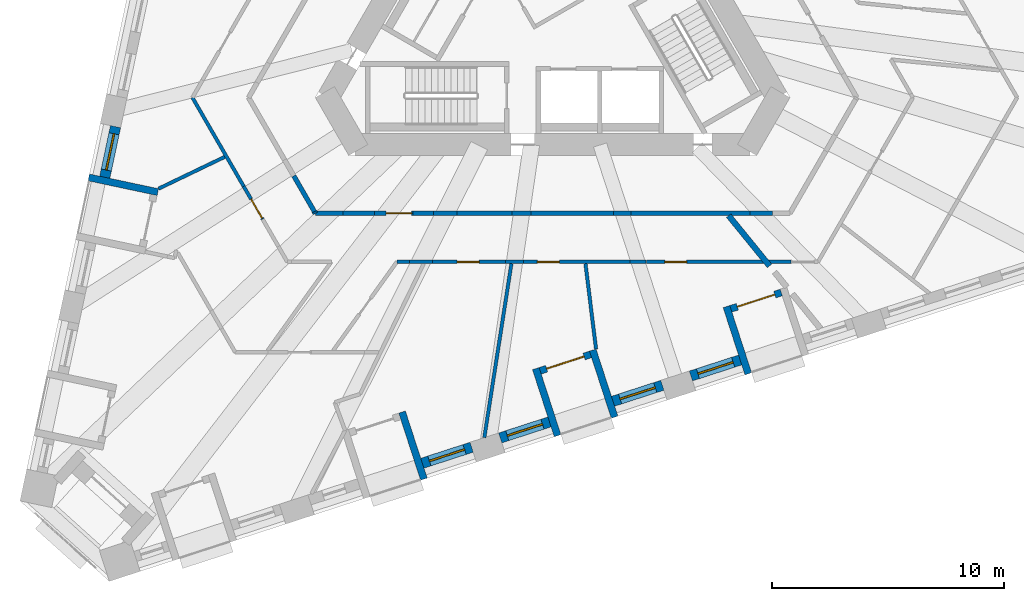
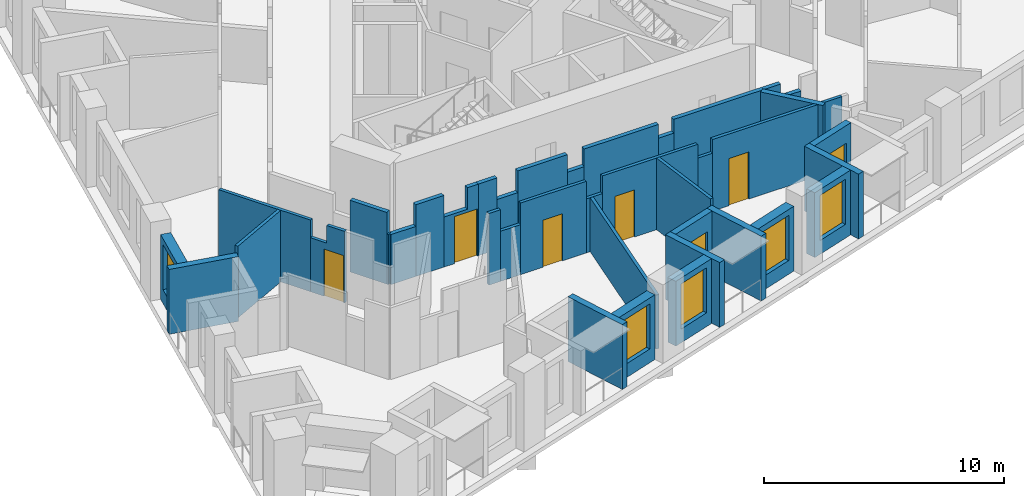
# One storey, part 3 of 13: 38 walls, 7 doors, 5 windows, 12 openings.
"""IFC4 building model written with IfcOpenShell, lengths in metres."""

from ifc_helpers import new_model, si_unit, direction, frame, frame_2d, origin, place, context, subcontext, project, spatial, polyline, rectangle, outline, extrude, material, layer, layer_set, type_object, element, fill, save


model = new_model("IFC4")

# Units and contexts
model_context = context("Model", 3, precision=1e-05, world=origin(), true_north=direction((0.0, 1.0)))
body_context = subcontext(model_context, "Body", "Model", "MODEL_VIEW")
ifc_project = project(units=[si_unit("LENGTHUNIT", "METRE"), si_unit("AREAUNIT", "SQUARE_METRE"), si_unit("VOLUMEUNIT", "CUBIC_METRE"), si_unit("PLANEANGLEUNIT", "RADIAN"), si_unit("MASSUNIT", "GRAM", prefix="KILO")], contexts=[model_context])

# Site, building, storey
site_placement = place(None, origin())
site = spatial("IfcSite", under=ifc_project, at=site_placement, CompositionType="ELEMENT")
building_placement = place(site_placement, origin())
building = spatial("IfcBuilding", under=site, at=building_placement, Name="Tramontana Tower", CompositionType="ELEMENT")
storey_placement = place(building_placement, frame((0.0, 0.0, 112.39990234375)))
storey = spatial("IfcBuildingStorey", under=building, at=storey_placement, Name="L25", CompositionType="ELEMENT", Elevation=112.39990234375)

# Walls
ifc_material_1 = material(Name="Blockwork", Category="masonry")
ifc_layer_1 = layer(ifc_material_1, 0.199951171875)
ifc_layer_set_1 = layer_set([ifc_layer_1], Name="ENTRY WALL 200")
wall_type_1 = type_object("IfcWallType", Name="ENTRY WALL 200", PredefinedType="SOLIDWALL", material=ifc_layer_set_1)
wall_1_placement = place(storey_placement, frame((9.50439453125, -9.25, 0.0), z_axis=(0.0, 0.0, 1.0), x_axis=(-1.0, 0.0, 0.0)))
element("IfcWall", 1, at=wall_1_placement, inside=storey, type_object=wall_type_1, Name="Wall v22-ew2-1", PredefinedType="SOLIDWALL", context=body_context, shape_type="SweptSolid", body=[
    extrude(rectangle(XDim=0.9775390625, YDim=0.199951171875, at=frame_2d((0.48876953125, 0.0))), origin(), (0.0, 0.0, 1.0), 2.9501953125),
])
wall_2_placement = place(storey_placement, frame((8.52685546875, -9.25, 0.0), z_axis=(0.0, 0.0, 1.0), x_axis=(-1.0, 0.0, 0.0)))
element("IfcWall", 2, at=wall_2_placement, inside=storey, type_object=wall_type_1, Name="Wall v22-ew2-2", PredefinedType="SOLIDWALL", context=body_context, shape_type="SweptSolid", body=[
    extrude(rectangle(XDim=5.1533203125, YDim=0.199951171875, at=frame_2d((2.57666015625, 0.0))), origin(), (0.0, 0.0, 1.0), 3.650146484375),
])
wall_3_placement = place(storey_placement, frame((3.37353515625, -9.25, 0.0), z_axis=(0.0, 0.0, 1.0), x_axis=(-1.0, 0.0, 0.0)))
element("IfcWall", 3, at=wall_3_placement, inside=storey, type_object=wall_type_1, Name="Wall v22-ew2-3", PredefinedType="SOLIDWALL", context=body_context, shape_type="SweptSolid", body=[
    extrude(rectangle(XDim=0.736083984375, YDim=0.199951171875, at=frame_2d((0.3681640625, 0.0))), origin(), (0.0, 0.0, 1.0), 2.9501953125),
])
wall_4_placement = place(storey_placement, frame((2.637451171875, -9.25, 0.0), z_axis=(0.0, 0.0, 1.0), x_axis=(-1.0, 0.0, 0.0)))
element("IfcWall", 4, at=wall_4_placement, inside=storey, type_object=wall_type_1, Name="Wall v22-ew2-4", PredefinedType="SOLIDWALL", context=body_context, shape_type="SweptSolid", body=[
    extrude(rectangle(XDim=3.576904296875, YDim=0.199951171875, at=frame_2d((1.78857421875, 0.0))), origin(), (0.0, 0.0, 1.0), 3.650146484375),
])
wall_5_placement = place(storey_placement, frame((-0.939453125, -9.25, 0.0), z_axis=(0.0, 0.0, 1.0), x_axis=(-1.0, 0.0, 0.0)))
element("IfcWall", 5, at=wall_5_placement, inside=storey, type_object=wall_type_1, Name="Wall v22-ew2-5", PredefinedType="SOLIDWALL", context=body_context, shape_type="SweptSolid", body=[
    extrude(rectangle(XDim=0.808349609375, YDim=0.199951171875, at=frame_2d((0.404296875, 0.0))), origin(), (0.0, 0.0, 1.0), 2.75),
])
wall_6_placement = place(storey_placement, frame((-1.747802734375, -9.25, 0.0), z_axis=(0.0, 0.0, 1.0), x_axis=(-1.0, 0.0, 0.0)))
element("IfcWall", 6, at=wall_6_placement, inside=storey, type_object=wall_type_1, Name="Wall v22-ew2-6", PredefinedType="SOLIDWALL", context=body_context, shape_type="SweptSolid", body=[
    extrude(rectangle(XDim=2.385498046875, YDim=0.199951171875, at=frame_2d((1.19287109375, 0.0))), origin(), (0.0, 0.0, 1.0), 3.650146484375),
])
wall_7_placement = place(storey_placement, frame((-4.13330078125, -9.25, 0.0), z_axis=(0.0, 0.0, 1.0), x_axis=(-1.0, 0.0, 0.0)))
element("IfcWall", 7, at=wall_7_placement, inside=storey, type_object=wall_type_1, Name="Wall v22-ew2-7", PredefinedType="SOLIDWALL", context=body_context, shape_type="SweptSolid", body=[
    extrude(rectangle(XDim=1.0068359375, YDim=0.199951171875, at=frame_2d((0.50341796875, 0.0))), origin(), (0.0, 0.0, 1.0), 2.550048828125),
])
wall_8_placement = place(storey_placement, frame((-5.14013671875, -9.25, 0.0), z_axis=(0.0, 0.0, 1.0), x_axis=(-1.0, 0.0, 0.0)))
element("IfcWall", 8, at=wall_8_placement, inside=storey, type_object=wall_type_1, Name="Wall v22-ew2-8", PredefinedType="SOLIDWALL", context=body_context, shape_type="SweptSolid", body=[
    extrude(rectangle(XDim=0.89990234375, YDim=0.199951171875, at=frame_2d((0.449951171875, 0.0))), origin(), (0.0, 0.0, 1.0), 3.650146484375),
])

# Wall, opening, door
wall_9_placement = place(storey_placement, frame((-7.695556640625, -9.25, 0.0), z_axis=(0.0, 0.0, 1.0), x_axis=(1.0, 0.0, 0.0)))
wall_9 = element("IfcWall", 9, at=wall_9_placement, inside=storey, type_object=wall_type_1, Name="Wall v22-ew2-9", PredefinedType="SOLIDWALL", context=body_context, shape_type="SweptSolid", body=[
    extrude(outline(polyline([(0.0, 0.0), (1.655517578125, 0.0), (1.655517578125, 3.650146484375), (1.13623046875, 3.650146484375), (1.13623046875, 2.550048828125), (0.0, 2.550048828125), (0.0, 0.0)])), frame((0.0, 0.10009765625, 0.0), z_axis=(0.0, -1.0, 0.0), x_axis=(1.0, 0.0, 0.0)), (0.0, 0.0, 1.0), 0.199951171875),
])
opening_1_placement = place(wall_9_placement, frame((0.50537109375, 0.0, 0.0)))
opening_1 = element("IfcOpeningElement", 10, at=opening_1_placement, cuts=wall_9, Name="Opening B2C-23", PredefinedType="OPENING", context=body_context, shape_type="SweptSolid", body=[
    extrude(rectangle(XDim=1.10009765625, YDim=2.39990234375, at=frame_2d((0.550048828125, 1.199951171875))), frame((0.0, 0.10986328125, 0.0), z_axis=(0.0, -1.0, 0.0), x_axis=(1.0, 0.0, 0.0)), (0.0, 0.0, 1.0), 0.219970703125),
])
ifc_material_2 = material(Name="Painted timber", Category="wood")
door_type_1 = type_object("IfcDoorType", Name="DOOR ENTRY 1100", OperationType="SINGLE_SWING_LEFT", PredefinedType="DOOR", material=ifc_material_2)
door_1_placement = place(opening_1_placement, origin())
door_1 = element("IfcDoor", 11, at=door_1_placement, inside=storey, type_object=door_type_1, Name="Door B2C-23", OperationType="SINGLE_SWING_LEFT", OverallHeight=2.39990234375, OverallWidth=1.10009765625, PredefinedType="DOOR", context=body_context, shape_type="SweptSolid", body=[
    extrude(rectangle(XDim=1.10009765625, YDim=2.39990234375, at=frame_2d((0.550048828125, 1.199951171875))), frame((0.0, 0.02490234375, 0.0), z_axis=(0.0, -1.0, 0.0), x_axis=(1.0, 0.0, 0.0)), (0.0, 0.0, 1.0), 0.050048828125),
])
fill(opening_1, door_1)

# Walls
wall_10_placement = place(storey_placement, frame((-7.695556640625, -9.25, 0.0), z_axis=(0.0, 0.0, 1.0), x_axis=(-1.0, 0.0, 0.0)))
element("IfcWall", 12, at=wall_10_placement, inside=storey, type_object=wall_type_1, Name="Wall v22-ew2-10", PredefinedType="SOLIDWALL", context=body_context, shape_type="SweptSolid", body=[
    extrude(rectangle(XDim=1.3603515625, YDim=0.199951171875, at=frame_2d((0.68017578125, 0.0))), origin(), (0.0, 0.0, 1.0), 3.650146484375),
])
wall_11_placement = place(storey_placement, frame((-9.055908203125, -9.25, 0.0), z_axis=(0.0, 0.0, 1.0), x_axis=(-1.0, 0.0, 0.0)))
element("IfcWall", 13, at=wall_11_placement, inside=storey, type_object=wall_type_1, Name="Wall v22-ew2-11", PredefinedType="SOLIDWALL", context=body_context, shape_type="SweptSolid", body=[
    extrude(rectangle(XDim=1.192138671875, YDim=0.199951171875, at=frame_2d((0.59619140625, 0.0))), origin(), (0.0, 0.0, 1.0), 2.550048828125),
])
wall_12_placement = place(storey_placement, frame((-10.248046875, -9.25, 0.0), z_axis=(0.0, 0.0, 1.0), x_axis=(-0.499103811596, 0.866542200502, 0.0)))
element("IfcWall", 14, at=wall_12_placement, inside=storey, type_object=wall_type_1, Name="Wall v22-ew3-0", PredefinedType="SOLIDWALL", context=body_context, shape_type="SweptSolid", body=[
    extrude(rectangle(XDim=0.079833984375, YDim=0.199951171875, at=frame_2d((0.0400390625, 0.0))), origin(), (0.0, 0.0, 1.0), 2.550048828125),
])
wall_13_placement = place(storey_placement, frame((-10.287841796875, -9.180908203125, 0.0), z_axis=(0.0, 0.0, 1.0), x_axis=(-0.499986405537, 0.866033252409, 0.0)))
element("IfcWall", 15, at=wall_13_placement, inside=storey, type_object=wall_type_1, Name="Wall v22-ew3-1", PredefinedType="SOLIDWALL", context=body_context, shape_type="SweptSolid", body=[
    extrude(rectangle(XDim=1.7880859375, YDim=0.199951171875, at=frame_2d((0.89404296875, 0.0))), origin(), (0.0, 0.0, 1.0), 3.650146484375),
])

# Wall, opening, window
ifc_material_3 = material(Name="Precast concrete 60 MPa", Category="concrete")
ifc_layer_2 = layer(ifc_material_3, 0.449951171875)
ifc_layer_set_2 = layer_set([ifc_layer_2], Name="Precast concrete 60 MPa, 450 mm")
wall_type_2 = type_object("IfcWallType", Name="EW1 Stone-faced precast wall 450", PredefinedType="SOLIDWALL", material=ifc_layer_set_2)
wall_14_placement = place(storey_placement, frame((-18.882080078125, -5.504638671875, 0.0), z_axis=(0.0, 0.0, 1.0), x_axis=(-0.207918801611, -0.978146089261, 0.0)))
wall_14 = element("IfcWall", 16, at=wall_14_placement, inside=storey, type_object=wall_type_2, Name="External wall L25 face 0 bay 5", PredefinedType="SOLIDWALL", context=body_context, shape_type="SweptSolid", body=[
    extrude(rectangle(XDim=2.23681640625, YDim=0.449951171875, at=frame_2d((1.118408203125, 0.0))), origin(), (0.0, 0.0, 1.0), 3.300048828125),
])
opening_2_placement = place(wall_14_placement, frame((0.318359375, 0.0, 0.699951171875)))
opening_2 = element("IfcOpeningElement", 17, at=opening_2_placement, cuts=wall_14, Name="Opening M1", PredefinedType="OPENING", context=body_context, shape_type="SweptSolid", body=[
    extrude(rectangle(XDim=1.60009765625, YDim=2.300048828125, at=frame_2d((0.800048828125, 1.14990234375))), frame((0.0, 0.23486328125, 0.0), z_axis=(0.0, -1.0, 0.0), x_axis=(1.0, 0.0, 0.0)), (0.0, 0.0, 1.0), 0.469970703125),
])
ifc_material_4 = material(Name="Aluminum frame, double glazing unit", Category="aluminium")
window_type = type_object("IfcWindowType", Name="M1 Window 1.6 x 2.3", PartitioningType="SINGLE_PANEL", PredefinedType="WINDOW", material=ifc_material_4)
window_1_placement = place(opening_2_placement, origin())
window_1 = element("IfcWindow", 18, at=window_1_placement, inside=storey, type_object=window_type, Name="Window M1 L25 face 0 module 13", OverallHeight=2.300048828125, OverallWidth=1.60009765625, PartitioningType="SINGLE_PANEL", PredefinedType="WINDOW", context=body_context, shape_type="SweptSolid", body=[
    extrude(rectangle(XDim=1.60009765625, YDim=2.300048828125, at=frame_2d((0.800048828125, 1.14990234375))), frame((0.0, 0.030029296875, 0.0), z_axis=(0.0, -1.0, 0.0), x_axis=(1.0, 0.0, 0.0)), (0.0, 0.0, 1.0), 0.06005859375),
])
fill(opening_2, window_1)

wall_15_placement = place(storey_placement, frame((-5.628173828125, -20.045166015625, 0.0), z_axis=(0.0, 0.0, 1.0), x_axis=(0.951057328329, 0.30901449518, 0.0)))
wall_15 = element("IfcWall", 19, at=wall_15_placement, inside=storey, type_object=wall_type_2, Name="External wall L25 face 1 bay 2", PredefinedType="SOLIDWALL", context=body_context, shape_type="SweptSolid", body=[
    extrude(rectangle(XDim=2.236572265625, YDim=0.449951171875, at=frame_2d((1.1181640625, 0.0))), origin(), (0.0, 0.0, 1.0), 3.300048828125),
])
opening_3_placement = place(wall_15_placement, frame((0.318359375, 0.0, 0.699951171875)))
opening_3 = element("IfcOpeningElement", 20, at=opening_3_placement, cuts=wall_15, Name="Opening M1", PredefinedType="OPENING", context=body_context, shape_type="SweptSolid", body=[
    extrude(rectangle(XDim=1.60009765625, YDim=2.300048828125, at=frame_2d((0.800048828125, 1.14990234375))), frame((0.0, 0.23486328125, 0.0), z_axis=(0.0, -1.0, 0.0), x_axis=(1.0, 0.0, 0.0)), (0.0, 0.0, 1.0), 0.469970703125),
])
window_2_placement = place(opening_3_placement, origin())
window_2 = element("IfcWindow", 21, at=window_2_placement, inside=storey, type_object=window_type, Name="Window M1 L25 face 1 module 6", OverallHeight=2.300048828125, OverallWidth=1.60009765625, PartitioningType="SINGLE_PANEL", PredefinedType="WINDOW", context=body_context, shape_type="SweptSolid", body=[
    extrude(rectangle(XDim=1.60009765625, YDim=2.300048828125, at=frame_2d((0.800048828125, 1.14990234375))), frame((0.0, 0.030029296875, 0.0), z_axis=(0.0, -1.0, 0.0), x_axis=(1.0, 0.0, 0.0)), (0.0, 0.0, 1.0), 0.06005859375),
])
fill(opening_3, window_2)

wall_16_placement = place(storey_placement, frame((-2.264404296875, -18.952392578125, 0.0), z_axis=(0.0, 0.0, 1.0), x_axis=(0.951057328329, 0.30901449518, 0.0)))
wall_16 = element("IfcWall", 22, at=wall_16_placement, inside=storey, type_object=wall_type_2, Name="External wall L25 face 1 bay 3", PredefinedType="SOLIDWALL", context=body_context, shape_type="SweptSolid", body=[
    extrude(rectangle(XDim=2.236572265625, YDim=0.449951171875, at=frame_2d((1.1181640625, 0.0))), origin(), (0.0, 0.0, 1.0), 3.300048828125),
])
opening_4_placement = place(wall_16_placement, frame((0.318359375, 0.0, 0.699951171875)))
opening_4 = element("IfcOpeningElement", 23, at=opening_4_placement, cuts=wall_16, Name="Opening M1", PredefinedType="OPENING", context=body_context, shape_type="SweptSolid", body=[
    extrude(rectangle(XDim=1.60009765625, YDim=2.300048828125, at=frame_2d((0.800048828125, 1.14990234375))), frame((0.0, 0.23486328125, 0.0), z_axis=(0.0, -1.0, 0.0), x_axis=(1.0, 0.0, 0.0)), (0.0, 0.0, 1.0), 0.469970703125),
])
window_3_placement = place(opening_4_placement, origin())
window_3 = element("IfcWindow", 24, at=window_3_placement, inside=storey, type_object=window_type, Name="Window M1 L25 face 1 module 7", OverallHeight=2.300048828125, OverallWidth=1.60009765625, PartitioningType="SINGLE_PANEL", PredefinedType="WINDOW", context=body_context, shape_type="SweptSolid", body=[
    extrude(rectangle(XDim=1.60009765625, YDim=2.300048828125, at=frame_2d((0.800048828125, 1.14990234375))), frame((0.0, 0.030029296875, 0.0), z_axis=(0.0, -1.0, 0.0), x_axis=(1.0, 0.0, 0.0)), (0.0, 0.0, 1.0), 0.06005859375),
])
fill(opening_4, window_3)

wall_17_placement = place(storey_placement, frame((2.608154296875, -17.369140625, 0.0), z_axis=(0.0, 0.0, 1.0), x_axis=(0.951067749801, 0.30898241906, 0.0)))
wall_17 = element("IfcWall", 25, at=wall_17_placement, inside=storey, type_object=wall_type_2, Name="External wall L25 face 1 bay 3", PredefinedType="SOLIDWALL", context=body_context, shape_type="SweptSolid", body=[
    extrude(rectangle(XDim=2.23681640625, YDim=0.449951171875, at=frame_2d((1.118408203125, 0.0))), origin(), (0.0, 0.0, 1.0), 3.300048828125),
])
opening_5_placement = place(wall_17_placement, frame((0.318359375, 0.0, 0.699951171875)))
opening_5 = element("IfcOpeningElement", 26, at=opening_5_placement, cuts=wall_17, Name="Opening M1", PredefinedType="OPENING", context=body_context, shape_type="SweptSolid", body=[
    extrude(rectangle(XDim=1.60009765625, YDim=2.300048828125, at=frame_2d((0.800048828125, 1.14990234375))), frame((0.0, 0.23486328125, 0.0), z_axis=(0.0, -1.0, 0.0), x_axis=(1.0, 0.0, 0.0)), (0.0, 0.0, 1.0), 0.469970703125),
])
window_4_placement = place(opening_5_placement, origin())
window_4 = element("IfcWindow", 27, at=window_4_placement, inside=storey, type_object=window_type, Name="Window M1 L25 face 1 module 9", OverallHeight=2.300048828125, OverallWidth=1.60009765625, PartitioningType="SINGLE_PANEL", PredefinedType="WINDOW", context=body_context, shape_type="SweptSolid", body=[
    extrude(rectangle(XDim=1.60009765625, YDim=2.300048828125, at=frame_2d((0.800048828125, 1.14990234375))), frame((0.0, 0.030029296875, 0.0), z_axis=(0.0, -1.0, 0.0), x_axis=(1.0, 0.0, 0.0)), (0.0, 0.0, 1.0), 0.06005859375),
])
fill(opening_5, window_4)

wall_18_placement = place(storey_placement, frame((5.971923828125, -16.276123046875, 0.0), z_axis=(0.0, 0.0, 1.0), x_axis=(0.951057328329, 0.30901449518, 0.0)))
wall_18 = element("IfcWall", 28, at=wall_18_placement, inside=storey, type_object=wall_type_2, Name="External wall L25 face 1 bay 4", PredefinedType="SOLIDWALL", context=body_context, shape_type="SweptSolid", body=[
    extrude(rectangle(XDim=2.236572265625, YDim=0.449951171875, at=frame_2d((1.1181640625, 0.0))), origin(), (0.0, 0.0, 1.0), 3.300048828125),
])
opening_6_placement = place(wall_18_placement, frame((0.318359375, 0.0, 0.699951171875)))
opening_6 = element("IfcOpeningElement", 29, at=opening_6_placement, cuts=wall_18, Name="Opening M1", PredefinedType="OPENING", context=body_context, shape_type="SweptSolid", body=[
    extrude(rectangle(XDim=1.60009765625, YDim=2.300048828125, at=frame_2d((0.800048828125, 1.14990234375))), frame((0.0, 0.23486328125, 0.0), z_axis=(0.0, -1.0, 0.0), x_axis=(1.0, 0.0, 0.0)), (0.0, 0.0, 1.0), 0.469970703125),
])
window_5_placement = place(opening_6_placement, origin())
window_5 = element("IfcWindow", 30, at=window_5_placement, inside=storey, type_object=window_type, Name="Window M1 L25 face 1 module 10", OverallHeight=2.300048828125, OverallWidth=1.60009765625, PartitioningType="SINGLE_PANEL", PredefinedType="WINDOW", context=body_context, shape_type="SweptSolid", body=[
    extrude(rectangle(XDim=1.60009765625, YDim=2.300048828125, at=frame_2d((0.800048828125, 1.14990234375))), frame((0.0, 0.030029296875, 0.0), z_axis=(0.0, -1.0, 0.0), x_axis=(1.0, 0.0, 0.0)), (0.0, 0.0, 1.0), 0.06005859375),
])
fill(opening_6, window_5)

# Walls
ifc_material_5 = material(Name="Precast concrete 60 MPa", Category="concrete")
ifc_layer_3 = layer(ifc_material_5, 0.300048828125)
ifc_layer_set_3 = layer_set([ifc_layer_3], Name="LW1 Stone-faced loggia wall 300")
wall_type_3 = type_object("IfcWallType", Name="LW1 Stone-faced loggia wall 300", PredefinedType="SOLIDWALL", material=ifc_layer_set_3)
for number, where, z_axis, x_axis, name in (
    (31, (-20.03857421875, -7.698974609375, 0.0), (0.0, 0.0, 1.0), (0.978154782045, -0.207877902534, 0.0), "Loggia return L25 G2S0.13a"),
    (32, (-5.562255859375, -20.733642578125, 0.0), (0.0, 0.0, 1.0), (-0.308966615996, 0.951072883748, 0.0), "Loggia return L25 G2S1.4b"),
):
    element("IfcWall", number, at=place(storey_placement, frame(where, z_axis=z_axis, x_axis=x_axis)), inside=storey, type_object=wall_type_3, Name=name, PredefinedType="SOLIDWALL", context=body_context, shape_type="SweptSolid", body=[
        extrude(rectangle(XDim=3.050048828125, YDim=0.300048828125, at=frame_2d((1.52490234375, 0.0))), origin(), (0.0, 0.0, 1.0), 3.300048828125),
    ])

# Wall, opening, door
wall_19_placement = place(storey_placement, frame((-0.53955078125, -16.05224609375, 0.0), z_axis=(0.0, 0.0, 1.0), x_axis=(0.951078776318, 0.308948476671, 0.0)))
wall_19 = element("IfcWall", 33, at=wall_19_placement, inside=storey, type_object=wall_type_3, Name="Loggia wall L25 G2S1.7", PredefinedType="SOLIDWALL", context=body_context, shape_type="SweptSolid", body=[
    extrude(rectangle(XDim=2.286865234375, YDim=0.300048828125, at=frame_2d((1.1435546875, 0.0))), origin(), (0.0, 0.0, 1.0), 3.300048828125),
])
opening_7_placement = place(wall_19_placement, frame((0.29345703125, 0.0, 0.0)))
opening_7 = element("IfcOpeningElement", 34, at=opening_7_placement, cuts=wall_19, Name="Opening BD-2S1-07", PredefinedType="OPENING", context=body_context, shape_type="SweptSolid", body=[
    extrude(rectangle(XDim=1.699951171875, YDim=2.39990234375, at=frame_2d((0.85009765625, 1.199951171875))), frame((0.0, 0.159912109375, 0.0), z_axis=(0.0, -1.0, 0.0), x_axis=(1.0, 0.0, 0.0)), (0.0, 0.0, 1.0), 0.320068359375),
])
ifc_material_6 = material(Name="Aluminum frame, double glazing unit", Category="aluminium")
door_type_2 = type_object("IfcDoorType", Name="BD1 Sliding door 1.7 x 2.4", OperationType="SLIDING_TO_LEFT", PredefinedType="DOOR", material=ifc_material_6)
door_2_placement = place(opening_7_placement, origin())
door_2 = element("IfcDoor", 35, at=door_2_placement, inside=storey, type_object=door_type_2, Name="Loggia door L25 G2S1.7", OperationType="SLIDING_TO_LEFT", OverallHeight=2.39990234375, OverallWidth=1.699951171875, PredefinedType="DOOR", context=body_context, shape_type="SweptSolid", body=[
    extrude(rectangle(XDim=1.699951171875, YDim=2.39990234375, at=frame_2d((0.85009765625, 1.199951171875))), frame((0.0, 0.02490234375, 0.0), z_axis=(0.0, -1.0, 0.0), x_axis=(1.0, 0.0, 0.0)), (0.0, 0.0, 1.0), 0.050048828125),
])
fill(opening_7, door_2)

# Walls
wall_20_placement = place(storey_placement, frame((0.214111328125, -18.856689453125, 0.0), z_axis=(0.0, 0.0, 1.0), x_axis=(-0.309062542235, 0.951041715693, 0.0)))
element("IfcWall", 36, at=wall_20_placement, inside=storey, type_object=wall_type_3, Name="Loggia return L25 G2S1.7a", PredefinedType="SOLIDWALL", context=body_context, shape_type="SweptSolid", body=[
    extrude(rectangle(XDim=3.050048828125, YDim=0.300048828125, at=frame_2d((1.52490234375, 0.0))), origin(), (0.0, 0.0, 1.0), 3.300048828125),
])
wall_21_placement = place(storey_placement, frame((2.674072265625, -18.057373046875, 0.0), z_axis=(0.0, 0.0, 1.0), x_axis=(-0.308990138358, 0.951065241925, 0.0)))
element("IfcWall", 37, at=wall_21_placement, inside=storey, type_object=wall_type_3, Name="Loggia return L25 G2S1.7b", PredefinedType="SOLIDWALL", context=body_context, shape_type="SweptSolid", body=[
    extrude(rectangle(XDim=3.0498046875, YDim=0.300048828125, at=frame_2d((1.52490234375, 0.0))), origin(), (0.0, 0.0, 1.0), 3.300048828125),
])

# Wall, opening, door
wall_22_placement = place(storey_placement, frame((7.697021484375, -13.376220703125, 0.0), z_axis=(0.0, 0.0, 1.0), x_axis=(0.95103720697, 0.309076416051, 0.0)))
wall_22 = element("IfcWall", 38, at=wall_22_placement, inside=storey, type_object=wall_type_3, Name="Loggia wall L25 G2S1.10", PredefinedType="SOLIDWALL", context=body_context, shape_type="SweptSolid", body=[
    extrude(rectangle(XDim=2.286865234375, YDim=0.300048828125, at=frame_2d((1.1435546875, 0.0))), origin(), (0.0, 0.0, 1.0), 3.300048828125),
])
opening_8_placement = place(wall_22_placement, frame((0.29345703125, 0.0, 0.0)))
opening_8 = element("IfcOpeningElement", 39, at=opening_8_placement, cuts=wall_22, Name="Opening BD-2S1-10", PredefinedType="OPENING", context=body_context, shape_type="SweptSolid", body=[
    extrude(rectangle(XDim=1.699951171875, YDim=2.39990234375, at=frame_2d((0.85009765625, 1.199951171875))), frame((0.0, 0.159912109375, 0.0), z_axis=(0.0, -1.0, 0.0), x_axis=(1.0, 0.0, 0.0)), (0.0, 0.0, 1.0), 0.320068359375),
])
door_3_placement = place(opening_8_placement, origin())
door_3 = element("IfcDoor", 40, at=door_3_placement, inside=storey, type_object=door_type_2, Name="Loggia door L25 G2S1.10", OperationType="SLIDING_TO_LEFT", OverallHeight=2.39990234375, OverallWidth=1.699951171875, PredefinedType="DOOR", context=body_context, shape_type="SweptSolid", body=[
    extrude(rectangle(XDim=1.699951171875, YDim=2.39990234375, at=frame_2d((0.85009765625, 1.199951171875))), frame((0.0, 0.02490234375, 0.0), z_axis=(0.0, -1.0, 0.0), x_axis=(1.0, 0.0, 0.0)), (0.0, 0.0, 1.0), 0.050048828125),
])
fill(opening_8, door_3)

# Walls
wall_23_placement = place(storey_placement, frame((8.450439453125, -16.1806640625, 0.0), z_axis=(0.0, 0.0, 1.0), x_axis=(-0.309039015525, 0.951049360908, 0.0)))
element("IfcWall", 41, at=wall_23_placement, inside=storey, type_object=wall_type_3, Name="Loggia return L25 G2S1.10a", PredefinedType="SOLIDWALL", context=body_context, shape_type="SweptSolid", body=[
    extrude(rectangle(XDim=3.05029296875, YDim=0.300048828125, at=frame_2d((1.525146484375, 0.0))), origin(), (0.0, 0.0, 1.0), 3.300048828125),
])
ifc_material_7 = material(Name="Gypsum board partition")
ifc_layer_4 = layer(ifc_material_7, 0.14990234375)
ifc_layer_set_4 = layer_set([ifc_layer_4], Name="PARTITION 150")
wall_type_4 = type_object("IfcWallType", Name="PARTITION 150", PredefinedType="PARTITIONING", material=ifc_layer_set_4)
wall_24_placement = place(storey_placement, frame((-17.02392578125, -8.186279296875, 0.0), z_axis=(0.0, 0.0, 1.0), x_axis=(0.901235652602, 0.433329318738, 0.0)))
element("IfcWall", 42, at=wall_24_placement, inside=storey, type_object=wall_type_4, Name="Wall v22-pw01", PredefinedType="PARTITIONING", context=body_context, shape_type="SweptSolid", body=[
    extrude(rectangle(XDim=3.17041015625, YDim=0.14990234375, at=frame_2d((1.585205078125, 0.0))), origin(), (0.0, 0.0, 1.0), 3.650146484375),
])

# Wall, opening, door
wall_25_placement = place(storey_placement, frame((-12.52783203125, -9.5009765625, 0.0), z_axis=(0.0, 0.0, 1.0), x_axis=(-0.500083826171, 0.865977001312, 0.0)))
wall_25 = element("IfcWall", 43, at=wall_25_placement, inside=storey, type_object=wall_type_4, Name="Wall v22-pw09-2", PredefinedType="PARTITIONING", context=body_context, shape_type="SweptSolid", body=[
    extrude(outline(polyline([(0.0, 0.0), (1.637451171875, 0.0), (1.637451171875, 2.75), (0.861572265625, 2.75), (0.861572265625, 3.650146484375), (0.0, 3.650146484375), (0.0, 0.0)])), frame((0.0, 0.074951171875, 0.0), z_axis=(0.0, -1.0, 0.0), x_axis=(1.0, 0.0, 0.0)), (0.0, 0.0, 1.0), 0.14990234375),
])
opening_9_placement = place(wall_25_placement, frame((0.050048828125, 0.0, 0.0)))
opening_9 = element("IfcOpeningElement", 44, at=opening_9_placement, cuts=wall_25, Name="Opening B2C-06", PredefinedType="OPENING", context=body_context, shape_type="SweptSolid", body=[
    extrude(rectangle(XDim=0.949951171875, YDim=2.39990234375, at=frame_2d((0.47509765625, 1.199951171875))), frame((0.0, 0.0849609375, 0.0), z_axis=(0.0, -1.0, 0.0), x_axis=(1.0, 0.0, 0.0)), (0.0, 0.0, 1.0), 0.169921875),
])
ifc_material_8 = material(Name="Painted timber", Category="wood")
door_type_3 = type_object("IfcDoorType", Name="DOOR ROOM 950", OperationType="SINGLE_SWING_LEFT", PredefinedType="DOOR", material=ifc_material_8)
door_4_placement = place(opening_9_placement, origin())
door_4 = element("IfcDoor", 45, at=door_4_placement, inside=storey, type_object=door_type_3, Name="Door B2C-06", OperationType="SINGLE_SWING_RIGHT", OverallHeight=2.39990234375, OverallWidth=0.949951171875, PredefinedType="DOOR", context=body_context, shape_type="SweptSolid", body=[
    extrude(rectangle(XDim=0.949951171875, YDim=2.39990234375, at=frame_2d((0.47509765625, 1.199951171875))), frame((0.0, 0.02490234375, 0.0), z_axis=(0.0, -1.0, 0.0), x_axis=(1.0, 0.0, 0.0)), (0.0, 0.0, 1.0), 0.050048828125),
])
fill(opening_9, door_4)

# Walls
wall_26_placement = place(storey_placement, frame((-13.3466796875, -8.0830078125, 0.0), z_axis=(0.0, 0.0, 1.0), x_axis=(-0.499983483481, 0.866034939391, 0.0)))
element("IfcWall", 46, at=wall_26_placement, inside=storey, type_object=wall_type_4, Name="Wall v22-pw09-3", PredefinedType="PARTITIONING", context=body_context, shape_type="SweptSolid", body=[
    extrude(rectangle(XDim=4.426025390625, YDim=0.14990234375, at=frame_2d((2.212890625, 0.0))), origin(), (0.0, 0.0, 1.0), 3.650146484375),
])
wall_27_placement = place(storey_placement, frame((-1.781005859375, -11.425048828125, 0.0), z_axis=(0.0, 0.0, 1.0), x_axis=(-0.153998853513, -0.988071026352, 0.0)))
element("IfcWall", 47, at=wall_27_placement, inside=storey, type_object=wall_type_4, Name="Wall v22-pw25-0", PredefinedType="PARTITIONING", context=body_context, shape_type="SweptSolid", body=[
    extrude(rectangle(XDim=7.60498046875, YDim=0.14990234375, at=frame_2d((3.802490234375, 0.0))), origin(), (0.0, 0.0, 1.0), 2.75),
])
wall_28_placement = place(storey_placement, frame((1.417236328125, -11.425048828125, 0.0), z_axis=(0.0, 0.0, 1.0), x_axis=(0.123071787127, -0.992397770661, 0.0)))
element("IfcWall", 48, at=wall_28_placement, inside=storey, type_object=wall_type_4, Name="Wall v22-pw28", PredefinedType="PARTITIONING", context=body_context, shape_type="SweptSolid", body=[
    extrude(rectangle(XDim=3.713623046875, YDim=0.14990234375, at=frame_2d((1.85693359375, 0.0))), origin(), (0.0, 0.0, 1.0), 3.650146484375),
])

# Wall, opening, door
wall_29_placement = place(storey_placement, frame((10.290283203125, -11.35009765625, 0.0), z_axis=(0.0, 0.0, 1.0), x_axis=(-1.0, 0.0, 0.0)))
wall_29 = element("IfcWall", 49, at=wall_29_placement, inside=storey, type_object=wall_type_4, Name="Wall v22-pw35-1", PredefinedType="PARTITIONING", context=body_context, shape_type="SweptSolid", body=[
    extrude(rectangle(XDim=6.24755859375, YDim=0.14990234375, at=frame_2d((3.123779296875, 0.0))), origin(), (0.0, 0.0, 1.0), 3.650146484375),
])
opening_10_placement = place(wall_29_placement, frame((4.498291015625, 0.0, 0.0)))
opening_10 = element("IfcOpeningElement", 50, at=opening_10_placement, cuts=wall_29, Name="Opening B2C-14", PredefinedType="OPENING", context=body_context, shape_type="SweptSolid", body=[
    extrude(rectangle(XDim=0.949951171875, YDim=2.39990234375, at=frame_2d((0.47509765625, 1.199951171875))), frame((0.0, 0.0849609375, 0.0), z_axis=(0.0, -1.0, 0.0), x_axis=(1.0, 0.0, 0.0)), (0.0, 0.0, 1.0), 0.169921875),
])
door_5_placement = place(opening_10_placement, origin())
door_5 = element("IfcDoor", 51, at=door_5_placement, inside=storey, type_object=door_type_3, Name="Door B2C-14", OperationType="SINGLE_SWING_RIGHT", OverallHeight=2.39990234375, OverallWidth=0.949951171875, PredefinedType="DOOR", context=body_context, shape_type="SweptSolid", body=[
    extrude(rectangle(XDim=0.949951171875, YDim=2.39990234375, at=frame_2d((0.47509765625, 1.199951171875))), frame((0.0, 0.02490234375, 0.0), z_axis=(0.0, -1.0, 0.0), x_axis=(1.0, 0.0, 0.0)), (0.0, 0.0, 1.0), 0.050048828125),
])
fill(opening_10, door_5)

# Wall
wall_30_placement = place(storey_placement, frame((4.042724609375, -11.35009765625, 0.0), z_axis=(0.0, 0.0, 1.0), x_axis=(-1.0, 0.0, 0.0)))
element("IfcWall", 52, at=wall_30_placement, inside=storey, type_object=wall_type_4, Name="Wall v22-pw35-2", PredefinedType="PARTITIONING", context=body_context, shape_type="SweptSolid", body=[
    extrude(rectangle(XDim=0.709716796875, YDim=0.14990234375, at=frame_2d((0.35498046875, 0.0))), origin(), (0.0, 0.0, 1.0), 2.9501953125),
])

# Wall, opening, door
wall_31_placement = place(storey_placement, frame((3.3330078125, -11.35009765625, 0.0), z_axis=(0.0, 0.0, 1.0), x_axis=(-1.0, 0.0, 0.0)))
wall_31 = element("IfcWall", 53, at=wall_31_placement, inside=storey, type_object=wall_type_4, Name="Wall v22-pw35-3", PredefinedType="PARTITIONING", context=body_context, shape_type="SweptSolid", body=[
    extrude(rectangle(XDim=4.590087890625, YDim=0.14990234375, at=frame_2d((2.294921875, 0.0))), origin(), (0.0, 0.0, 1.0), 3.650146484375),
])
opening_11_placement = place(wall_31_placement, frame((3.03857421875, 0.0, 0.0)))
opening_11 = element("IfcOpeningElement", 54, at=opening_11_placement, cuts=wall_31, Name="Opening B2C-13", PredefinedType="OPENING", context=body_context, shape_type="SweptSolid", body=[
    extrude(rectangle(XDim=0.949951171875, YDim=2.39990234375, at=frame_2d((0.47509765625, 1.199951171875))), frame((0.0, 0.0849609375, 0.0), z_axis=(0.0, -1.0, 0.0), x_axis=(1.0, 0.0, 0.0)), (0.0, 0.0, 1.0), 0.169921875),
])
door_6_placement = place(opening_11_placement, origin())
door_6 = element("IfcDoor", 55, at=door_6_placement, inside=storey, type_object=door_type_3, Name="Door B2C-13", OperationType="SINGLE_SWING_LEFT", OverallHeight=2.39990234375, OverallWidth=0.949951171875, PredefinedType="DOOR", context=body_context, shape_type="SweptSolid", body=[
    extrude(rectangle(XDim=0.949951171875, YDim=2.39990234375, at=frame_2d((0.47509765625, 1.199951171875))), frame((0.0, 0.02490234375, 0.0), z_axis=(0.0, -1.0, 0.0), x_axis=(1.0, 0.0, 0.0)), (0.0, 0.0, 1.0), 0.050048828125),
])
fill(opening_11, door_6)

# Wall
wall_32_placement = place(storey_placement, frame((-1.257080078125, -11.35009765625, 0.0), z_axis=(0.0, 0.0, 1.0), x_axis=(-1.0, 0.0, 0.0)))
element("IfcWall", 56, at=wall_32_placement, inside=storey, type_object=wall_type_4, Name="Wall v22-pw35-4", PredefinedType="PARTITIONING", context=body_context, shape_type="SweptSolid", body=[
    extrude(rectangle(XDim=0.783203125, YDim=0.14990234375, at=frame_2d((0.3916015625, 0.0))), origin(), (0.0, 0.0, 1.0), 2.75),
])

# Wall, opening, door
wall_33_placement = place(storey_placement, frame((-2.040283203125, -11.35009765625, 0.0), z_axis=(0.0, 0.0, 1.0), x_axis=(-1.0, 0.0, 0.0)))
wall_33 = element("IfcWall", 57, at=wall_33_placement, inside=storey, type_object=wall_type_4, Name="Wall v22-pw35-5", PredefinedType="PARTITIONING", context=body_context, shape_type="SweptSolid", body=[
    extrude(rectangle(XDim=3.15966796875, YDim=0.14990234375, at=frame_2d((1.579833984375, 0.0))), origin(), (0.0, 0.0, 1.0), 3.650146484375),
])
opening_12_placement = place(wall_33_placement, frame((1.13671875, 0.0, 0.0)))
opening_12 = element("IfcOpeningElement", 58, at=opening_12_placement, cuts=wall_33, Name="Opening B2C-12", PredefinedType="OPENING", context=body_context, shape_type="SweptSolid", body=[
    extrude(rectangle(XDim=0.949951171875, YDim=2.39990234375, at=frame_2d((0.47509765625, 1.199951171875))), frame((0.0, 0.0849609375, 0.0), z_axis=(0.0, -1.0, 0.0), x_axis=(1.0, 0.0, 0.0)), (0.0, 0.0, 1.0), 0.169921875),
])
door_7_placement = place(opening_12_placement, origin())
door_7 = element("IfcDoor", 59, at=door_7_placement, inside=storey, type_object=door_type_3, Name="Door B2C-12", OperationType="SINGLE_SWING_RIGHT", OverallHeight=2.39990234375, OverallWidth=0.949951171875, PredefinedType="DOOR", context=body_context, shape_type="SweptSolid", body=[
    extrude(rectangle(XDim=0.949951171875, YDim=2.39990234375, at=frame_2d((0.47509765625, 1.199951171875))), frame((0.0, 0.02490234375, 0.0), z_axis=(0.0, -1.0, 0.0), x_axis=(1.0, 0.0, 0.0)), (0.0, 0.0, 1.0), 0.050048828125),
])
fill(opening_12, door_7)

# Walls
wall_34_placement = place(storey_placement, frame((-5.199951171875, -11.35009765625, 0.0), z_axis=(0.0, 0.0, 1.0), x_axis=(-1.0, 0.0, 0.0)))
element("IfcWall", 60, at=wall_34_placement, inside=storey, type_object=wall_type_4, Name="Wall v22-pw35-6", PredefinedType="PARTITIONING", context=body_context, shape_type="SweptSolid", body=[
    extrude(rectangle(XDim=0.978759765625, YDim=0.14990234375, at=frame_2d((0.4892578125, 0.0))), origin(), (0.0, 0.0, 1.0), 2.550048828125),
])
wall_35_placement = place(storey_placement, frame((-6.1787109375, -11.35009765625, 0.0), z_axis=(0.0, 0.0, 1.0), x_axis=(-1.0, 0.0, 0.0)))
element("IfcWall", 61, at=wall_35_placement, inside=storey, type_object=wall_type_4, Name="Wall v22-pw35-7", PredefinedType="PARTITIONING", context=body_context, shape_type="SweptSolid", body=[
    extrude(rectangle(XDim=0.55322265625, YDim=0.14990234375, at=frame_2d((0.276611328125, 0.0))), origin(), (0.0, 0.0, 1.0), 3.650146484375),
])
ifc_material_9 = material(Name="Blockwork", Category="masonry")
ifc_layer_5 = layer(ifc_material_9, 0.25)
ifc_layer_set_5 = layer_set([ifc_layer_5], Name="PARTY WALL 250")
wall_type_5 = type_object("IfcWallType", Name="PARTY WALL 250", PredefinedType="SOLIDWALL", material=ifc_layer_set_5)
wall_36_placement = place(storey_placement, frame((7.602783203125, -9.35009765625, 0.0), z_axis=(0.0, 0.0, 1.0), x_axis=(0.630904880303, -0.775860188442, 0.0)))
element("IfcWall", 62, at=wall_36_placement, inside=storey, type_object=wall_type_5, Name="Wall v22-pw31", PredefinedType="SOLIDWALL", context=body_context, shape_type="SweptSolid", body=[
    extrude(rectangle(XDim=2.7958984375, YDim=0.25, at=frame_2d((1.39794921875, 0.0))), origin(), (0.0, 0.0, 1.0), 3.650146484375),
])

save(model, "model.ifc")
